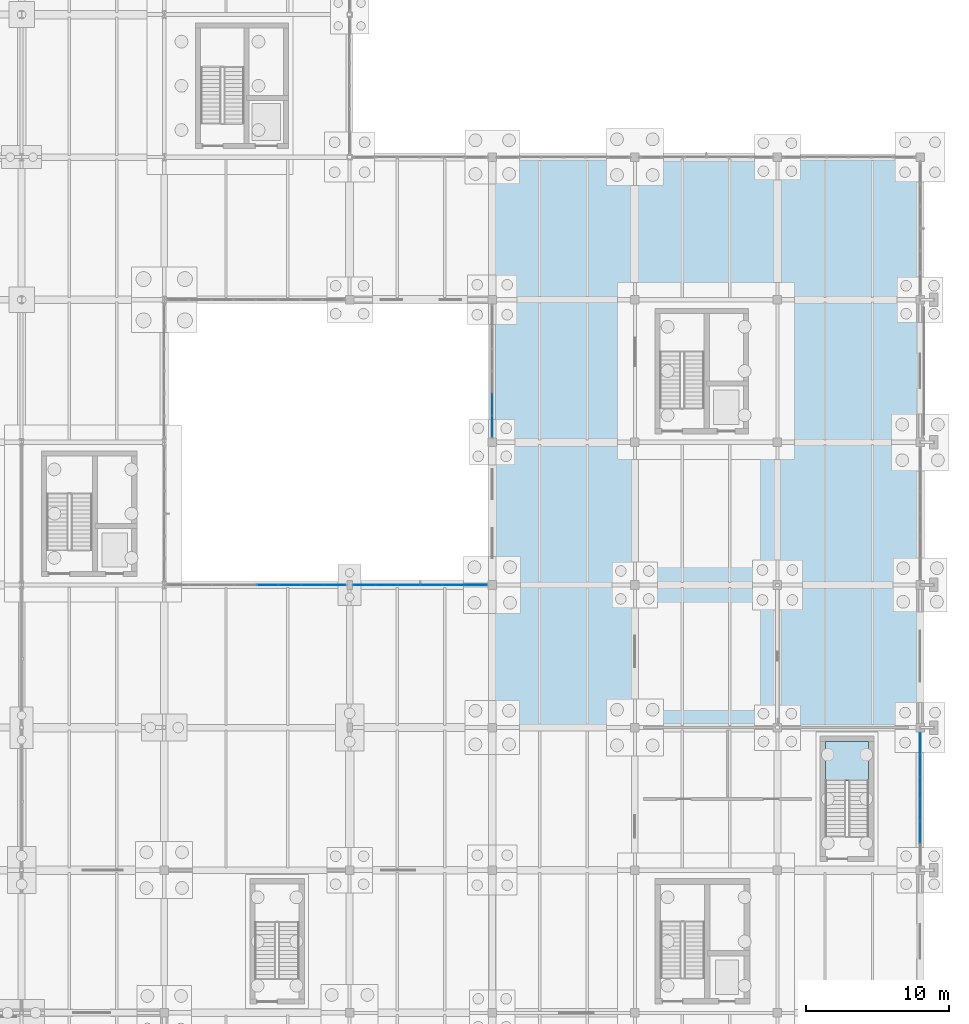
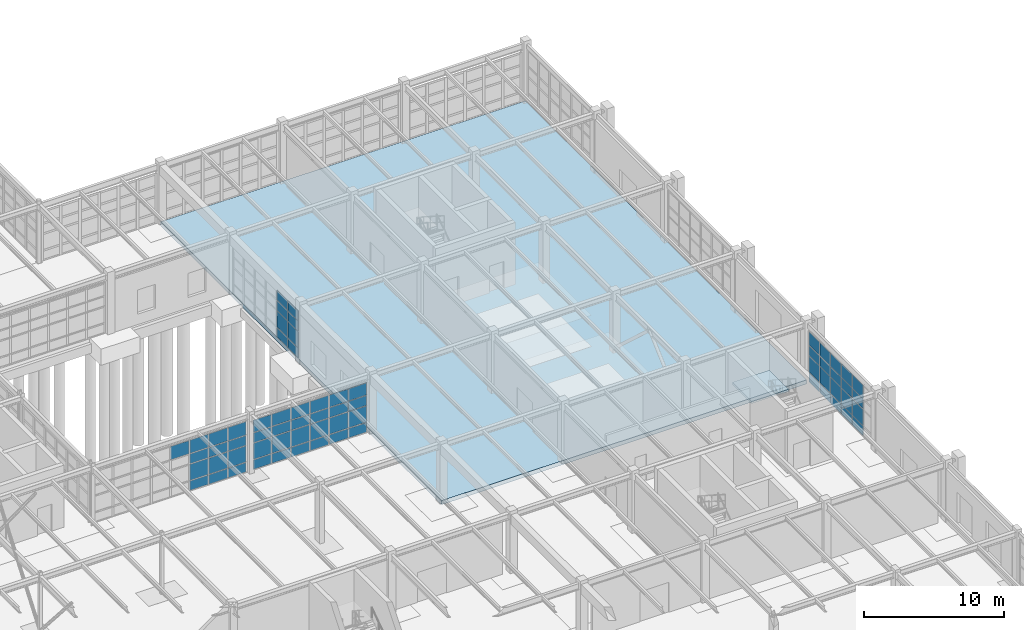
# One storey, part 94 of 145: 65 plates, 2 slabs, 5 elements without a shape of their own.
"""IFC4 building model written with IfcOpenShell, lengths in metres."""

from ifc_helpers import new_model, si_unit, direction, frame, origin, origin_2d, place, context, subcontext, project, spatial, polyline, rectangle, outline, extrude, material, layer, layer_set, type_object, element, aggregate, save


model = new_model("IFC4")

# Units and contexts
model_context = context("Model", 3, precision=1e-05, world=origin(), true_north=direction((0.0, 1.0)))
body_context = subcontext(model_context, "Body", "Model", "MODEL_VIEW")
ifc_project = project(units=[si_unit("LENGTHUNIT", "METRE"), si_unit("AREAUNIT", "SQUARE_METRE"), si_unit("VOLUMEUNIT", "CUBIC_METRE"), si_unit("PLANEANGLEUNIT", "RADIAN"), si_unit("MASSUNIT", "GRAM", prefix="KILO"), si_unit("THERMODYNAMICTEMPERATUREUNIT", "KELVIN"), si_unit("POWERUNIT", "WATT")], contexts=[model_context])

# Site, building, storey
site_placement = place(None, origin())
site = spatial("IfcSite", under=ifc_project, at=site_placement, CompositionType="ELEMENT")
building_placement = place(site_placement, origin())
building = spatial("IfcBuilding", under=site, at=building_placement, Name="Korenveer Ferry Terminal", CompositionType="ELEMENT")
storey_placement = place(building_placement, origin())
storey = spatial("IfcBuildingStorey", under=building, at=storey_placement, Name="L00", CompositionType="ELEMENT", Elevation=0.0)

# Curtain wall, plates
ifc_material_1 = material(Name="Unitised bronze-and-glass curtain wall", Category="glass")
ifc_layer_1 = layer(ifc_material_1, 0.159912109375)
ifc_layer_set_1 = layer_set([ifc_layer_1], Name="Unitised bronze-and-glass curtain wall")
curtain_wall_type_1 = type_object("IfcCurtainWallType", Name="ENV-CW-04", PredefinedType="USERDEFINED", material=ifc_layer_set_1)
curtain_wall_1_placement = place(storey_placement, frame((123.179931640625, 50.0, 0.0)))
curtain_wall_1 = element("IfcCurtainWall", 1, at=curtain_wall_1_placement, inside=storey, type_object=curtain_wall_type_1, Name="Lancet curtain wall CWX-L00-X123-136-Y50-50", ObjectType="UNITISED CURTAIN WALL", PredefinedType="USERDEFINED")
ifc_material_2 = material(Name="Low-iron solar-control double glazing", Category="glass")
ifc_layer_2 = layer(ifc_material_2, 0.028076171875)
ifc_layer_set_2 = layer_set([ifc_layer_2], Name="Low-iron solar-control double glazing")
plate_type = type_object("IfcPlateType", Name="ENV-CWP-GLZ28", PredefinedType="CURTAIN_PANEL", material=ifc_layer_set_2)
plate_1_placement = place(storey_placement, frame((130.261962890625, 50.0, 3.280029296875), z_axis=(0.0, 0.0, 1.0), x_axis=(1.0, 0.0, 0.0)))
plate_1 = element("IfcPlate", 2, at=plate_1_placement, type_object=plate_type, Name="CW-04 panel 5.4", PredefinedType="CURTAIN_PANEL", context=body_context, shape_type="SweptSolid", body=[
    extrude(rectangle(XDim=1.513671875, YDim=0.028076171875, at=origin_2d()), origin(), (0.0, 0.0, 1.0), 1.14990234375),
])
plate_2_placement = place(storey_placement, frame((131.835693359375, 50.0, 0.06005859375), z_axis=(0.0, 0.0, 1.0), x_axis=(1.0, 0.0, 0.0)))
plate_2 = element("IfcPlate", 3, at=plate_2_placement, type_object=plate_type, Name="CW-04 panel 6.1", PredefinedType="CURTAIN_PANEL", context=body_context, shape_type="SweptSolid", body=[
    extrude(rectangle(XDim=1.513671875, YDim=0.028076171875, at=origin_2d()), origin(), (0.0, 0.0, 1.0), 0.81005859375),
])
plate_3_placement = place(storey_placement, frame((131.835693359375, 50.0, 0.93017578125), z_axis=(0.0, 0.0, 1.0), x_axis=(1.0, 0.0, 0.0)))
plate_3 = element("IfcPlate", 4, at=plate_3_placement, type_object=plate_type, Name="CW-04 panel 6.2", PredefinedType="CURTAIN_PANEL", context=body_context, shape_type="SweptSolid", body=[
    extrude(rectangle(XDim=1.513671875, YDim=0.028076171875, at=origin_2d()), origin(), (0.0, 0.0, 1.0), 1.389892578125),
])
plate_4_placement = place(storey_placement, frame((131.835693359375, 50.0, 2.3798828125), z_axis=(0.0, 0.0, 1.0), x_axis=(1.0, 0.0, 0.0)))
plate_4 = element("IfcPlate", 5, at=plate_4_placement, type_object=plate_type, Name="CW-04 panel 6.3", PredefinedType="CURTAIN_PANEL", context=body_context, shape_type="SweptSolid", body=[
    extrude(rectangle(XDim=1.513671875, YDim=0.028076171875, at=origin_2d()), origin(), (0.0, 0.0, 1.0), 0.840087890625),
])
plate_5_placement = place(storey_placement, frame((131.835693359375, 50.0, 3.280029296875), z_axis=(0.0, 0.0, 1.0), x_axis=(1.0, 0.0, 0.0)))
plate_5 = element("IfcPlate", 6, at=plate_5_placement, type_object=plate_type, Name="CW-04 panel 6.4", PredefinedType="CURTAIN_PANEL", context=body_context, shape_type="SweptSolid", body=[
    extrude(rectangle(XDim=1.513671875, YDim=0.028076171875, at=origin_2d()), origin(), (0.0, 0.0, 1.0), 1.14990234375),
])
plate_6_placement = place(storey_placement, frame((133.409423828125, 50.0, 0.06005859375), z_axis=(0.0, 0.0, 1.0), x_axis=(1.0, 0.0, 0.0)))
plate_6 = element("IfcPlate", 7, at=plate_6_placement, type_object=plate_type, Name="CW-04 panel 7.1", PredefinedType="CURTAIN_PANEL", context=body_context, shape_type="SweptSolid", body=[
    extrude(rectangle(XDim=1.513671875, YDim=0.028076171875, at=origin_2d()), origin(), (0.0, 0.0, 1.0), 0.81005859375),
])
plate_7_placement = place(storey_placement, frame((133.409423828125, 50.0, 0.93017578125), z_axis=(0.0, 0.0, 1.0), x_axis=(1.0, 0.0, 0.0)))
plate_7 = element("IfcPlate", 8, at=plate_7_placement, type_object=plate_type, Name="CW-04 panel 7.2", PredefinedType="CURTAIN_PANEL", context=body_context, shape_type="SweptSolid", body=[
    extrude(rectangle(XDim=1.513671875, YDim=0.028076171875, at=origin_2d()), origin(), (0.0, 0.0, 1.0), 1.389892578125),
])
plate_8_placement = place(storey_placement, frame((133.409423828125, 50.0, 2.3798828125), z_axis=(0.0, 0.0, 1.0), x_axis=(1.0, 0.0, 0.0)))
plate_8 = element("IfcPlate", 9, at=plate_8_placement, type_object=plate_type, Name="CW-04 panel 7.3", PredefinedType="CURTAIN_PANEL", context=body_context, shape_type="SweptSolid", body=[
    extrude(rectangle(XDim=1.513671875, YDim=0.028076171875, at=origin_2d()), origin(), (0.0, 0.0, 1.0), 0.840087890625),
])
plate_9_placement = place(storey_placement, frame((133.409423828125, 50.0, 3.280029296875), z_axis=(0.0, 0.0, 1.0), x_axis=(1.0, 0.0, 0.0)))
plate_9 = element("IfcPlate", 10, at=plate_9_placement, type_object=plate_type, Name="CW-04 panel 7.4", PredefinedType="CURTAIN_PANEL", context=body_context, shape_type="SweptSolid", body=[
    extrude(rectangle(XDim=1.513671875, YDim=0.028076171875, at=origin_2d()), origin(), (0.0, 0.0, 1.0), 1.14990234375),
])
plate_10_placement = place(storey_placement, frame((134.968017578125, 50.0, 0.06005859375), z_axis=(0.0, 0.0, 1.0), x_axis=(1.0, 0.0, 0.0)))
plate_10 = element("IfcPlate", 11, at=plate_10_placement, type_object=plate_type, Name="CW-04 panel 8.1", PredefinedType="CURTAIN_PANEL", context=body_context, shape_type="SweptSolid", body=[
    extrude(rectangle(XDim=1.483642578125, YDim=0.028076171875, at=origin_2d()), origin(), (0.0, 0.0, 1.0), 0.81005859375),
])
plate_11_placement = place(storey_placement, frame((134.968017578125, 50.0, 0.93017578125), z_axis=(0.0, 0.0, 1.0), x_axis=(1.0, 0.0, 0.0)))
plate_11 = element("IfcPlate", 12, at=plate_11_placement, type_object=plate_type, Name="CW-04 panel 8.2", PredefinedType="CURTAIN_PANEL", context=body_context, shape_type="SweptSolid", body=[
    extrude(rectangle(XDim=1.483642578125, YDim=0.028076171875, at=origin_2d()), origin(), (0.0, 0.0, 1.0), 1.389892578125),
])
plate_12_placement = place(storey_placement, frame((134.968017578125, 50.0, 2.3798828125), z_axis=(0.0, 0.0, 1.0), x_axis=(1.0, 0.0, 0.0)))
plate_12 = element("IfcPlate", 13, at=plate_12_placement, type_object=plate_type, Name="CW-04 panel 8.3", PredefinedType="CURTAIN_PANEL", context=body_context, shape_type="SweptSolid", body=[
    extrude(rectangle(XDim=1.483642578125, YDim=0.028076171875, at=origin_2d()), origin(), (0.0, 0.0, 1.0), 0.840087890625),
])
plate_13_placement = place(storey_placement, frame((134.968017578125, 50.0, 3.280029296875), z_axis=(0.0, 0.0, 1.0), x_axis=(1.0, 0.0, 0.0)))
plate_13 = element("IfcPlate", 14, at=plate_13_placement, type_object=plate_type, Name="CW-04 panel 8.4", PredefinedType="CURTAIN_PANEL", context=body_context, shape_type="SweptSolid", body=[
    extrude(rectangle(XDim=1.483642578125, YDim=0.028076171875, at=origin_2d()), origin(), (0.0, 0.0, 1.0), 1.14990234375),
])
aggregate(curtain_wall_1, [plate_1, plate_2, plate_3, plate_4, plate_5, plate_6, plate_7, plate_8, plate_9, plate_10, plate_11, plate_12, plate_13])

ifc_layer_3 = layer(ifc_material_1, 0.159912109375)
ifc_layer_set_3 = layer_set([ifc_layer_3], Name="Unitised bronze-and-glass curtain wall")
curtain_wall_type_2 = type_object("IfcCurtainWallType", Name="ENV-CW-05", PredefinedType="USERDEFINED", material=ifc_layer_set_3)
curtain_wall_2_placement = place(storey_placement, frame((136.22998046875, 50.0, 0.0)))
curtain_wall_2 = element("IfcCurtainWall", 15, at=curtain_wall_2_placement, inside=storey, type_object=curtain_wall_type_2, Name="Lancet curtain wall CWX-L00-X136-146-Y50-50", ObjectType="UNITISED CURTAIN WALL", PredefinedType="USERDEFINED")
plate_14_placement = place(storey_placement, frame((137.03173828125, 50.0, 0.06005859375), z_axis=(0.0, 0.0, 1.0), x_axis=(1.0, 0.0, 0.0)))
plate_14 = element("IfcPlate", 16, at=plate_14_placement, type_object=plate_type, Name="CW-05 panel 1.1", PredefinedType="CURTAIN_PANEL", context=body_context, shape_type="SweptSolid", body=[
    extrude(rectangle(XDim=1.4833984375, YDim=0.028076171875, at=origin_2d()), origin(), (0.0, 0.0, 1.0), 0.81005859375),
])
plate_15_placement = place(storey_placement, frame((137.03173828125, 50.0, 0.93017578125), z_axis=(0.0, 0.0, 1.0), x_axis=(1.0, 0.0, 0.0)))
plate_15 = element("IfcPlate", 17, at=plate_15_placement, type_object=plate_type, Name="CW-05 panel 1.2", PredefinedType="CURTAIN_PANEL", context=body_context, shape_type="SweptSolid", body=[
    extrude(rectangle(XDim=1.4833984375, YDim=0.028076171875, at=origin_2d()), origin(), (0.0, 0.0, 1.0), 1.389892578125),
])
plate_16_placement = place(storey_placement, frame((137.03173828125, 50.0, 2.3798828125), z_axis=(0.0, 0.0, 1.0), x_axis=(1.0, 0.0, 0.0)))
plate_16 = element("IfcPlate", 18, at=plate_16_placement, type_object=plate_type, Name="CW-05 panel 1.3", PredefinedType="CURTAIN_PANEL", context=body_context, shape_type="SweptSolid", body=[
    extrude(rectangle(XDim=1.4833984375, YDim=0.028076171875, at=origin_2d()), origin(), (0.0, 0.0, 1.0), 0.840087890625),
])
plate_17_placement = place(storey_placement, frame((137.03173828125, 50.0, 3.27978515625), z_axis=(0.0, 0.0, 1.0), x_axis=(1.0, 0.0, 0.0)))
plate_17 = element("IfcPlate", 19, at=plate_17_placement, type_object=plate_type, Name="CW-05 panel 1.4", PredefinedType="CURTAIN_PANEL", context=body_context, shape_type="SweptSolid", body=[
    extrude(rectangle(XDim=1.4833984375, YDim=0.028076171875, at=origin_2d()), origin(), (0.0, 0.0, 1.0), 1.050048828125),
])
plate_18_placement = place(storey_placement, frame((138.590087890625, 50.0, 0.06005859375), z_axis=(0.0, 0.0, 1.0), x_axis=(1.0, 0.0, 0.0)))
plate_18 = element("IfcPlate", 20, at=plate_18_placement, type_object=plate_type, Name="CW-05 panel 2.1", PredefinedType="CURTAIN_PANEL", context=body_context, shape_type="SweptSolid", body=[
    extrude(rectangle(XDim=1.513427734375, YDim=0.028076171875, at=origin_2d()), origin(), (0.0, 0.0, 1.0), 0.81005859375),
])
plate_19_placement = place(storey_placement, frame((138.590087890625, 50.0, 0.93017578125), z_axis=(0.0, 0.0, 1.0), x_axis=(1.0, 0.0, 0.0)))
plate_19 = element("IfcPlate", 21, at=plate_19_placement, type_object=plate_type, Name="CW-05 panel 2.2", PredefinedType="CURTAIN_PANEL", context=body_context, shape_type="SweptSolid", body=[
    extrude(rectangle(XDim=1.513427734375, YDim=0.028076171875, at=origin_2d()), origin(), (0.0, 0.0, 1.0), 1.389892578125),
])
plate_20_placement = place(storey_placement, frame((138.590087890625, 50.0, 2.3798828125), z_axis=(0.0, 0.0, 1.0), x_axis=(1.0, 0.0, 0.0)))
plate_20 = element("IfcPlate", 22, at=plate_20_placement, type_object=plate_type, Name="CW-05 panel 2.3", PredefinedType="CURTAIN_PANEL", context=body_context, shape_type="SweptSolid", body=[
    extrude(rectangle(XDim=1.513427734375, YDim=0.028076171875, at=origin_2d()), origin(), (0.0, 0.0, 1.0), 0.840087890625),
])
plate_21_placement = place(storey_placement, frame((138.590087890625, 50.0, 3.27978515625), z_axis=(0.0, 0.0, 1.0), x_axis=(1.0, 0.0, 0.0)))
plate_21 = element("IfcPlate", 23, at=plate_21_placement, type_object=plate_type, Name="CW-05 panel 2.4", PredefinedType="CURTAIN_PANEL", context=body_context, shape_type="SweptSolid", body=[
    extrude(rectangle(XDim=1.513427734375, YDim=0.028076171875, at=origin_2d()), origin(), (0.0, 0.0, 1.0), 1.050048828125),
])
plate_22_placement = place(storey_placement, frame((140.163330078125, 50.0, 0.06005859375), z_axis=(0.0, 0.0, 1.0), x_axis=(1.0, 0.0, 0.0)))
plate_22 = element("IfcPlate", 24, at=plate_22_placement, type_object=plate_type, Name="CW-05 panel 3.1", PredefinedType="CURTAIN_PANEL", context=body_context, shape_type="SweptSolid", body=[
    extrude(rectangle(XDim=1.513427734375, YDim=0.028076171875, at=origin_2d()), origin(), (0.0, 0.0, 1.0), 0.81005859375),
])
plate_23_placement = place(storey_placement, frame((140.163330078125, 50.0, 0.93017578125), z_axis=(0.0, 0.0, 1.0), x_axis=(1.0, 0.0, 0.0)))
plate_23 = element("IfcPlate", 25, at=plate_23_placement, type_object=plate_type, Name="CW-05 panel 3.2", PredefinedType="CURTAIN_PANEL", context=body_context, shape_type="SweptSolid", body=[
    extrude(rectangle(XDim=1.513427734375, YDim=0.028076171875, at=origin_2d()), origin(), (0.0, 0.0, 1.0), 1.389892578125),
])
plate_24_placement = place(storey_placement, frame((140.163330078125, 50.0, 2.3798828125), z_axis=(0.0, 0.0, 1.0), x_axis=(1.0, 0.0, 0.0)))
plate_24 = element("IfcPlate", 26, at=plate_24_placement, type_object=plate_type, Name="CW-05 panel 3.3", PredefinedType="CURTAIN_PANEL", context=body_context, shape_type="SweptSolid", body=[
    extrude(rectangle(XDim=1.513427734375, YDim=0.028076171875, at=origin_2d()), origin(), (0.0, 0.0, 1.0), 0.840087890625),
])
plate_25_placement = place(storey_placement, frame((140.163330078125, 50.0, 3.27978515625), z_axis=(0.0, 0.0, 1.0), x_axis=(1.0, 0.0, 0.0)))
plate_25 = element("IfcPlate", 27, at=plate_25_placement, type_object=plate_type, Name="CW-05 panel 3.4", PredefinedType="CURTAIN_PANEL", context=body_context, shape_type="SweptSolid", body=[
    extrude(rectangle(XDim=1.513427734375, YDim=0.028076171875, at=origin_2d()), origin(), (0.0, 0.0, 1.0), 1.050048828125),
])
plate_26_placement = place(storey_placement, frame((141.736572265625, 50.0, 0.06005859375), z_axis=(0.0, 0.0, 1.0), x_axis=(1.0, 0.0, 0.0)))
plate_26 = element("IfcPlate", 28, at=plate_26_placement, type_object=plate_type, Name="CW-05 panel 4.1", PredefinedType="CURTAIN_PANEL", context=body_context, shape_type="SweptSolid", body=[
    extrude(rectangle(XDim=1.513427734375, YDim=0.028076171875, at=origin_2d()), origin(), (0.0, 0.0, 1.0), 0.81005859375),
])
plate_27_placement = place(storey_placement, frame((141.736572265625, 50.0, 0.93017578125), z_axis=(0.0, 0.0, 1.0), x_axis=(1.0, 0.0, 0.0)))
plate_27 = element("IfcPlate", 29, at=plate_27_placement, type_object=plate_type, Name="CW-05 panel 4.2", PredefinedType="CURTAIN_PANEL", context=body_context, shape_type="SweptSolid", body=[
    extrude(rectangle(XDim=1.513427734375, YDim=0.028076171875, at=origin_2d()), origin(), (0.0, 0.0, 1.0), 1.389892578125),
])
plate_28_placement = place(storey_placement, frame((141.736572265625, 50.0, 2.3798828125), z_axis=(0.0, 0.0, 1.0), x_axis=(1.0, 0.0, 0.0)))
plate_28 = element("IfcPlate", 30, at=plate_28_placement, type_object=plate_type, Name="CW-05 panel 4.3", PredefinedType="CURTAIN_PANEL", context=body_context, shape_type="SweptSolid", body=[
    extrude(rectangle(XDim=1.513427734375, YDim=0.028076171875, at=origin_2d()), origin(), (0.0, 0.0, 1.0), 0.840087890625),
])
plate_29_placement = place(storey_placement, frame((141.736572265625, 50.0, 3.27978515625), z_axis=(0.0, 0.0, 1.0), x_axis=(1.0, 0.0, 0.0)))
plate_29 = element("IfcPlate", 31, at=plate_29_placement, type_object=plate_type, Name="CW-05 panel 4.4", PredefinedType="CURTAIN_PANEL", context=body_context, shape_type="SweptSolid", body=[
    extrude(rectangle(XDim=1.513427734375, YDim=0.028076171875, at=origin_2d()), origin(), (0.0, 0.0, 1.0), 1.050048828125),
])
plate_30_placement = place(storey_placement, frame((143.31005859375, 50.0, 0.06005859375), z_axis=(0.0, 0.0, 1.0), x_axis=(1.0, 0.0, 0.0)))
plate_30 = element("IfcPlate", 32, at=plate_30_placement, type_object=plate_type, Name="CW-05 panel 5.1", PredefinedType="CURTAIN_PANEL", context=body_context, shape_type="SweptSolid", body=[
    extrude(rectangle(XDim=1.513427734375, YDim=0.028076171875, at=origin_2d()), origin(), (0.0, 0.0, 1.0), 0.81005859375),
])
plate_31_placement = place(storey_placement, frame((143.31005859375, 50.0, 0.93017578125), z_axis=(0.0, 0.0, 1.0), x_axis=(1.0, 0.0, 0.0)))
plate_31 = element("IfcPlate", 33, at=plate_31_placement, type_object=plate_type, Name="CW-05 panel 5.2", PredefinedType="CURTAIN_PANEL", context=body_context, shape_type="SweptSolid", body=[
    extrude(rectangle(XDim=1.513427734375, YDim=0.028076171875, at=origin_2d()), origin(), (0.0, 0.0, 1.0), 1.389892578125),
])
plate_32_placement = place(storey_placement, frame((143.31005859375, 50.0, 2.3798828125), z_axis=(0.0, 0.0, 1.0), x_axis=(1.0, 0.0, 0.0)))
plate_32 = element("IfcPlate", 34, at=plate_32_placement, type_object=plate_type, Name="CW-05 panel 5.3", PredefinedType="CURTAIN_PANEL", context=body_context, shape_type="SweptSolid", body=[
    extrude(rectangle(XDim=1.513427734375, YDim=0.028076171875, at=origin_2d()), origin(), (0.0, 0.0, 1.0), 0.840087890625),
])
plate_33_placement = place(storey_placement, frame((143.31005859375, 50.0, 3.27978515625), z_axis=(0.0, 0.0, 1.0), x_axis=(1.0, 0.0, 0.0)))
plate_33 = element("IfcPlate", 35, at=plate_33_placement, type_object=plate_type, Name="CW-05 panel 5.4", PredefinedType="CURTAIN_PANEL", context=body_context, shape_type="SweptSolid", body=[
    extrude(rectangle(XDim=1.513427734375, YDim=0.028076171875, at=origin_2d()), origin(), (0.0, 0.0, 1.0), 1.050048828125),
])
plate_34_placement = place(storey_placement, frame((144.868408203125, 50.0, 0.06005859375), z_axis=(0.0, 0.0, 1.0), x_axis=(1.0, 0.0, 0.0)))
plate_34 = element("IfcPlate", 36, at=plate_34_placement, type_object=plate_type, Name="CW-05 panel 6.1", PredefinedType="CURTAIN_PANEL", context=body_context, shape_type="SweptSolid", body=[
    extrude(rectangle(XDim=1.4833984375, YDim=0.028076171875, at=origin_2d()), origin(), (0.0, 0.0, 1.0), 0.81005859375),
])
plate_35_placement = place(storey_placement, frame((144.868408203125, 50.0, 0.93017578125), z_axis=(0.0, 0.0, 1.0), x_axis=(1.0, 0.0, 0.0)))
plate_35 = element("IfcPlate", 37, at=plate_35_placement, type_object=plate_type, Name="CW-05 panel 6.2", PredefinedType="CURTAIN_PANEL", context=body_context, shape_type="SweptSolid", body=[
    extrude(rectangle(XDim=1.4833984375, YDim=0.028076171875, at=origin_2d()), origin(), (0.0, 0.0, 1.0), 1.389892578125),
])
plate_36_placement = place(storey_placement, frame((144.868408203125, 50.0, 2.3798828125), z_axis=(0.0, 0.0, 1.0), x_axis=(1.0, 0.0, 0.0)))
plate_36 = element("IfcPlate", 38, at=plate_36_placement, type_object=plate_type, Name="CW-05 panel 6.3", PredefinedType="CURTAIN_PANEL", context=body_context, shape_type="SweptSolid", body=[
    extrude(rectangle(XDim=1.4833984375, YDim=0.028076171875, at=origin_2d()), origin(), (0.0, 0.0, 1.0), 0.840087890625),
])
plate_37_placement = place(storey_placement, frame((144.868408203125, 50.0, 3.27978515625), z_axis=(0.0, 0.0, 1.0), x_axis=(1.0, 0.0, 0.0)))
plate_37 = element("IfcPlate", 39, at=plate_37_placement, type_object=plate_type, Name="CW-05 panel 6.4", PredefinedType="CURTAIN_PANEL", context=body_context, shape_type="SweptSolid", body=[
    extrude(rectangle(XDim=1.4833984375, YDim=0.028076171875, at=origin_2d()), origin(), (0.0, 0.0, 1.0), 1.050048828125),
])
aggregate(curtain_wall_2, [plate_14, plate_15, plate_16, plate_17, plate_18, plate_19, plate_20, plate_21, plate_22, plate_23, plate_24, plate_25, plate_26, plate_27, plate_28, plate_29, plate_30, plate_31, plate_32, plate_33, plate_34, plate_35, plate_36, plate_37])

ifc_layer_4 = layer(ifc_material_1, 0.159912109375)
ifc_layer_set_4 = layer_set([ifc_layer_4], Name="Unitised bronze-and-glass curtain wall")
curtain_wall_type_3 = type_object("IfcCurtainWallType", Name="ENV-CW-32", PredefinedType="USERDEFINED", material=ifc_layer_set_4)
curtain_wall_3_placement = place(storey_placement, frame((146.0, 60.330078125, 0.0)))
curtain_wall_3 = element("IfcCurtainWall", 40, at=curtain_wall_3_placement, inside=storey, type_object=curtain_wall_type_3, Name="Lancet curtain wall CWX-L00-X146-146-Y60-70", ObjectType="UNITISED CURTAIN WALL", PredefinedType="USERDEFINED")
plate_38_placement = place(storey_placement, frame((146.0, 61.123291015625, 0.06005859375), z_axis=(0.0, 0.0, 1.0), x_axis=(0.0, 1.0, 0.0)))
plate_38 = element("IfcPlate", 41, at=plate_38_placement, type_object=plate_type, Name="CW-32 panel 1.1", PredefinedType="CURTAIN_PANEL", context=body_context, shape_type="SweptSolid", body=[
    extrude(rectangle(XDim=1.466552734375, YDim=0.028076171875, at=origin_2d()), origin(), (0.0, 0.0, 1.0), 0.81005859375),
])
plate_39_placement = place(storey_placement, frame((146.0, 61.123291015625, 0.93017578125), z_axis=(0.0, 0.0, 1.0), x_axis=(0.0, 1.0, 0.0)))
plate_39 = element("IfcPlate", 42, at=plate_39_placement, type_object=plate_type, Name="CW-32 panel 1.2", PredefinedType="CURTAIN_PANEL", context=body_context, shape_type="SweptSolid", body=[
    extrude(rectangle(XDim=1.466552734375, YDim=0.028076171875, at=origin_2d()), origin(), (0.0, 0.0, 1.0), 1.389892578125),
])
plate_40_placement = place(storey_placement, frame((146.0, 61.123291015625, 2.3798828125), z_axis=(0.0, 0.0, 1.0), x_axis=(0.0, 1.0, 0.0)))
plate_40 = element("IfcPlate", 43, at=plate_40_placement, type_object=plate_type, Name="CW-32 panel 1.3", PredefinedType="CURTAIN_PANEL", context=body_context, shape_type="SweptSolid", body=[
    extrude(rectangle(XDim=1.466552734375, YDim=0.028076171875, at=origin_2d()), origin(), (0.0, 0.0, 1.0), 0.840087890625),
])
plate_41_placement = place(storey_placement, frame((146.0, 61.123291015625, 3.280029296875), z_axis=(0.0, 0.0, 1.0), x_axis=(0.0, 1.0, 0.0)))
plate_41 = element("IfcPlate", 44, at=plate_41_placement, type_object=plate_type, Name="CW-32 panel 1.4", PredefinedType="CURTAIN_PANEL", context=body_context, shape_type="SweptSolid", body=[
    extrude(rectangle(XDim=1.466552734375, YDim=0.028076171875, at=origin_2d()), origin(), (0.0, 0.0, 1.0), 0.85009765625),
])
plate_42_placement = place(storey_placement, frame((146.0, 62.6650390625, 0.06005859375), z_axis=(0.0, 0.0, 1.0), x_axis=(0.0, 1.0, 0.0)))
plate_42 = element("IfcPlate", 45, at=plate_42_placement, type_object=plate_type, Name="CW-32 panel 2.1", PredefinedType="CURTAIN_PANEL", context=body_context, shape_type="SweptSolid", body=[
    extrude(rectangle(XDim=1.49658203125, YDim=0.028076171875, at=origin_2d()), origin(), (0.0, 0.0, 1.0), 0.81005859375),
])
plate_43_placement = place(storey_placement, frame((146.0, 62.6650390625, 0.93017578125), z_axis=(0.0, 0.0, 1.0), x_axis=(0.0, 1.0, 0.0)))
plate_43 = element("IfcPlate", 46, at=plate_43_placement, type_object=plate_type, Name="CW-32 panel 2.2", PredefinedType="CURTAIN_PANEL", context=body_context, shape_type="SweptSolid", body=[
    extrude(rectangle(XDim=1.49658203125, YDim=0.028076171875, at=origin_2d()), origin(), (0.0, 0.0, 1.0), 1.389892578125),
])
plate_44_placement = place(storey_placement, frame((146.0, 62.6650390625, 2.3798828125), z_axis=(0.0, 0.0, 1.0), x_axis=(0.0, 1.0, 0.0)))
plate_44 = element("IfcPlate", 47, at=plate_44_placement, type_object=plate_type, Name="CW-32 panel 2.3", PredefinedType="CURTAIN_PANEL", context=body_context, shape_type="SweptSolid", body=[
    extrude(rectangle(XDim=1.49658203125, YDim=0.028076171875, at=origin_2d()), origin(), (0.0, 0.0, 1.0), 0.840087890625),
])
plate_45_placement = place(storey_placement, frame((146.0, 62.6650390625, 3.280029296875), z_axis=(0.0, 0.0, 1.0), x_axis=(0.0, 1.0, 0.0)))
plate_45 = element("IfcPlate", 48, at=plate_45_placement, type_object=plate_type, Name="CW-32 panel 2.4", PredefinedType="CURTAIN_PANEL", context=body_context, shape_type="SweptSolid", body=[
    extrude(rectangle(XDim=1.49658203125, YDim=0.028076171875, at=origin_2d()), origin(), (0.0, 0.0, 1.0), 0.85009765625),
])
aggregate(curtain_wall_3, [plate_38, plate_39, plate_40, plate_41, plate_42, plate_43, plate_44, plate_45])

ifc_layer_5 = layer(ifc_material_1, 0.159912109375)
ifc_layer_set_5 = layer_set([ifc_layer_5], Name="Unitised bronze-and-glass curtain wall")
curtain_wall_type_4 = type_object("IfcCurtainWallType", Name="ENV-CW-34", PredefinedType="USERDEFINED", material=ifc_layer_set_5)
curtain_wall_4_placement = place(storey_placement, frame((176.0, 39.669921875, 0.0)))
curtain_wall_4 = element("IfcCurtainWall", 49, at=curtain_wall_4_placement, inside=storey, type_object=curtain_wall_type_4, Name="Lancet curtain wall CWX-L00-X176-176-Y30-40", ObjectType="UNITISED CURTAIN WALL", PredefinedType="USERDEFINED")
plate_46_placement = place(storey_placement, frame((176.0, 38.876708984375, 0.06005859375), z_axis=(0.0, 0.0, 1.0), x_axis=(0.0, -1.0, 0.0)))
plate_46 = element("IfcPlate", 50, at=plate_46_placement, type_object=plate_type, Name="CW-34 panel 1.1", PredefinedType="CURTAIN_PANEL", context=body_context, shape_type="SweptSolid", body=[
    extrude(rectangle(XDim=1.466552734375, YDim=0.028076171875, at=origin_2d()), origin(), (0.0, 0.0, 1.0), 0.81005859375),
])
plate_47_placement = place(storey_placement, frame((176.0, 38.876708984375, 0.93017578125), z_axis=(0.0, 0.0, 1.0), x_axis=(0.0, -1.0, 0.0)))
plate_47 = element("IfcPlate", 51, at=plate_47_placement, type_object=plate_type, Name="CW-34 panel 1.2", PredefinedType="CURTAIN_PANEL", context=body_context, shape_type="SweptSolid", body=[
    extrude(rectangle(XDim=1.466552734375, YDim=0.028076171875, at=origin_2d()), origin(), (0.0, 0.0, 1.0), 1.389892578125),
])
plate_48_placement = place(storey_placement, frame((176.0, 38.876708984375, 2.3798828125), z_axis=(0.0, 0.0, 1.0), x_axis=(0.0, -1.0, 0.0)))
plate_48 = element("IfcPlate", 52, at=plate_48_placement, type_object=plate_type, Name="CW-34 panel 1.3", PredefinedType="CURTAIN_PANEL", context=body_context, shape_type="SweptSolid", body=[
    extrude(rectangle(XDim=1.466552734375, YDim=0.028076171875, at=origin_2d()), origin(), (0.0, 0.0, 1.0), 0.840087890625),
])
plate_49_placement = place(storey_placement, frame((176.0, 38.876708984375, 3.280029296875), z_axis=(0.0, 0.0, 1.0), x_axis=(0.0, -1.0, 0.0)))
plate_49 = element("IfcPlate", 53, at=plate_49_placement, type_object=plate_type, Name="CW-34 panel 1.4", PredefinedType="CURTAIN_PANEL", context=body_context, shape_type="SweptSolid", body=[
    extrude(rectangle(XDim=1.466552734375, YDim=0.028076171875, at=origin_2d()), origin(), (0.0, 0.0, 1.0), 1.14990234375),
])
plate_50_placement = place(storey_placement, frame((176.0, 37.3349609375, 0.06005859375), z_axis=(0.0, 0.0, 1.0), x_axis=(0.0, -1.0, 0.0)))
plate_50 = element("IfcPlate", 54, at=plate_50_placement, type_object=plate_type, Name="CW-34 panel 2.1", PredefinedType="CURTAIN_PANEL", context=body_context, shape_type="SweptSolid", body=[
    extrude(rectangle(XDim=1.49658203125, YDim=0.028076171875, at=origin_2d()), origin(), (0.0, 0.0, 1.0), 0.81005859375),
])
plate_51_placement = place(storey_placement, frame((176.0, 37.3349609375, 0.93017578125), z_axis=(0.0, 0.0, 1.0), x_axis=(0.0, -1.0, 0.0)))
plate_51 = element("IfcPlate", 55, at=plate_51_placement, type_object=plate_type, Name="CW-34 panel 2.2", PredefinedType="CURTAIN_PANEL", context=body_context, shape_type="SweptSolid", body=[
    extrude(rectangle(XDim=1.49658203125, YDim=0.028076171875, at=origin_2d()), origin(), (0.0, 0.0, 1.0), 1.389892578125),
])
plate_52_placement = place(storey_placement, frame((176.0, 37.3349609375, 2.3798828125), z_axis=(0.0, 0.0, 1.0), x_axis=(0.0, -1.0, 0.0)))
plate_52 = element("IfcPlate", 56, at=plate_52_placement, type_object=plate_type, Name="CW-34 panel 2.3", PredefinedType="CURTAIN_PANEL", context=body_context, shape_type="SweptSolid", body=[
    extrude(rectangle(XDim=1.49658203125, YDim=0.028076171875, at=origin_2d()), origin(), (0.0, 0.0, 1.0), 0.840087890625),
])
plate_53_placement = place(storey_placement, frame((176.0, 37.3349609375, 3.280029296875), z_axis=(0.0, 0.0, 1.0), x_axis=(0.0, -1.0, 0.0)))
plate_53 = element("IfcPlate", 57, at=plate_53_placement, type_object=plate_type, Name="CW-34 panel 2.4", PredefinedType="CURTAIN_PANEL", context=body_context, shape_type="SweptSolid", body=[
    extrude(rectangle(XDim=1.49658203125, YDim=0.028076171875, at=origin_2d()), origin(), (0.0, 0.0, 1.0), 1.14990234375),
])
plate_54_placement = place(storey_placement, frame((176.0, 35.7783203125, 0.06005859375), z_axis=(0.0, 0.0, 1.0), x_axis=(0.0, -1.0, 0.0)))
plate_54 = element("IfcPlate", 58, at=plate_54_placement, type_object=plate_type, Name="CW-34 panel 3.1", PredefinedType="CURTAIN_PANEL", context=body_context, shape_type="SweptSolid", body=[
    extrude(rectangle(XDim=1.49658203125, YDim=0.028076171875, at=origin_2d()), origin(), (0.0, 0.0, 1.0), 0.81005859375),
])
plate_55_placement = place(storey_placement, frame((176.0, 35.7783203125, 0.93017578125), z_axis=(0.0, 0.0, 1.0), x_axis=(0.0, -1.0, 0.0)))
plate_55 = element("IfcPlate", 59, at=plate_55_placement, type_object=plate_type, Name="CW-34 panel 3.2", PredefinedType="CURTAIN_PANEL", context=body_context, shape_type="SweptSolid", body=[
    extrude(rectangle(XDim=1.49658203125, YDim=0.028076171875, at=origin_2d()), origin(), (0.0, 0.0, 1.0), 1.389892578125),
])
plate_56_placement = place(storey_placement, frame((176.0, 35.7783203125, 2.3798828125), z_axis=(0.0, 0.0, 1.0), x_axis=(0.0, -1.0, 0.0)))
plate_56 = element("IfcPlate", 60, at=plate_56_placement, type_object=plate_type, Name="CW-34 panel 3.3", PredefinedType="CURTAIN_PANEL", context=body_context, shape_type="SweptSolid", body=[
    extrude(rectangle(XDim=1.49658203125, YDim=0.028076171875, at=origin_2d()), origin(), (0.0, 0.0, 1.0), 0.840087890625),
])
plate_57_placement = place(storey_placement, frame((176.0, 35.7783203125, 3.280029296875), z_axis=(0.0, 0.0, 1.0), x_axis=(0.0, -1.0, 0.0)))
plate_57 = element("IfcPlate", 61, at=plate_57_placement, type_object=plate_type, Name="CW-34 panel 3.4", PredefinedType="CURTAIN_PANEL", context=body_context, shape_type="SweptSolid", body=[
    extrude(rectangle(XDim=1.49658203125, YDim=0.028076171875, at=origin_2d()), origin(), (0.0, 0.0, 1.0), 1.14990234375),
])
plate_58_placement = place(storey_placement, frame((176.0, 34.2216796875, 0.06005859375), z_axis=(0.0, 0.0, 1.0), x_axis=(0.0, -1.0, 0.0)))
plate_58 = element("IfcPlate", 62, at=plate_58_placement, type_object=plate_type, Name="CW-34 panel 4.1", PredefinedType="CURTAIN_PANEL", context=body_context, shape_type="SweptSolid", body=[
    extrude(rectangle(XDim=1.49658203125, YDim=0.028076171875, at=origin_2d()), origin(), (0.0, 0.0, 1.0), 0.81005859375),
])
plate_59_placement = place(storey_placement, frame((176.0, 34.2216796875, 0.93017578125), z_axis=(0.0, 0.0, 1.0), x_axis=(0.0, -1.0, 0.0)))
plate_59 = element("IfcPlate", 63, at=plate_59_placement, type_object=plate_type, Name="CW-34 panel 4.2", PredefinedType="CURTAIN_PANEL", context=body_context, shape_type="SweptSolid", body=[
    extrude(rectangle(XDim=1.49658203125, YDim=0.028076171875, at=origin_2d()), origin(), (0.0, 0.0, 1.0), 1.389892578125),
])
plate_60_placement = place(storey_placement, frame((176.0, 34.2216796875, 2.3798828125), z_axis=(0.0, 0.0, 1.0), x_axis=(0.0, -1.0, 0.0)))
plate_60 = element("IfcPlate", 64, at=plate_60_placement, type_object=plate_type, Name="CW-34 panel 4.3", PredefinedType="CURTAIN_PANEL", context=body_context, shape_type="SweptSolid", body=[
    extrude(rectangle(XDim=1.49658203125, YDim=0.028076171875, at=origin_2d()), origin(), (0.0, 0.0, 1.0), 0.840087890625),
])
plate_61_placement = place(storey_placement, frame((176.0, 34.2216796875, 3.280029296875), z_axis=(0.0, 0.0, 1.0), x_axis=(0.0, -1.0, 0.0)))
plate_61 = element("IfcPlate", 65, at=plate_61_placement, type_object=plate_type, Name="CW-34 panel 4.4", PredefinedType="CURTAIN_PANEL", context=body_context, shape_type="SweptSolid", body=[
    extrude(rectangle(XDim=1.49658203125, YDim=0.028076171875, at=origin_2d()), origin(), (0.0, 0.0, 1.0), 1.14990234375),
])
plate_62_placement = place(storey_placement, frame((176.0, 32.6650390625, 0.06005859375), z_axis=(0.0, 0.0, 1.0), x_axis=(0.0, -1.0, 0.0)))
plate_62 = element("IfcPlate", 66, at=plate_62_placement, type_object=plate_type, Name="CW-34 panel 5.1", PredefinedType="CURTAIN_PANEL", context=body_context, shape_type="SweptSolid", body=[
    extrude(rectangle(XDim=1.49658203125, YDim=0.028076171875, at=origin_2d()), origin(), (0.0, 0.0, 1.0), 0.81005859375),
])
plate_63_placement = place(storey_placement, frame((176.0, 32.6650390625, 0.93017578125), z_axis=(0.0, 0.0, 1.0), x_axis=(0.0, -1.0, 0.0)))
plate_63 = element("IfcPlate", 67, at=plate_63_placement, type_object=plate_type, Name="CW-34 panel 5.2", PredefinedType="CURTAIN_PANEL", context=body_context, shape_type="SweptSolid", body=[
    extrude(rectangle(XDim=1.49658203125, YDim=0.028076171875, at=origin_2d()), origin(), (0.0, 0.0, 1.0), 1.389892578125),
])
plate_64_placement = place(storey_placement, frame((176.0, 32.6650390625, 2.3798828125), z_axis=(0.0, 0.0, 1.0), x_axis=(0.0, -1.0, 0.0)))
plate_64 = element("IfcPlate", 68, at=plate_64_placement, type_object=plate_type, Name="CW-34 panel 5.3", PredefinedType="CURTAIN_PANEL", context=body_context, shape_type="SweptSolid", body=[
    extrude(rectangle(XDim=1.49658203125, YDim=0.028076171875, at=origin_2d()), origin(), (0.0, 0.0, 1.0), 0.840087890625),
])
plate_65_placement = place(storey_placement, frame((176.0, 32.6650390625, 3.280029296875), z_axis=(0.0, 0.0, 1.0), x_axis=(0.0, -1.0, 0.0)))
plate_65 = element("IfcPlate", 69, at=plate_65_placement, type_object=plate_type, Name="CW-34 panel 5.4", PredefinedType="CURTAIN_PANEL", context=body_context, shape_type="SweptSolid", body=[
    extrude(rectangle(XDim=1.49658203125, YDim=0.028076171875, at=origin_2d()), origin(), (0.0, 0.0, 1.0), 1.14990234375),
])
aggregate(curtain_wall_4, [plate_46, plate_47, plate_48, plate_49, plate_50, plate_51, plate_52, plate_53, plate_54, plate_55, plate_56, plate_57, plate_58, plate_59, plate_60, plate_61, plate_62, plate_63, plate_64, plate_65])

# Stair, slab
ifc_material_3 = material(Name="Concrete C40/50", Category="concrete")
stair_type = type_object("IfcStairType", Name="INT-ST-07", PredefinedType="HALF_TURN_STAIR", material=ifc_material_3)
stair_placement = place(storey_placement, frame((171.68994140625, 32.3798828125, 0.0)))
stair = element("IfcStair", 70, at=stair_placement, inside=storey, type_object=stair_type, Name="L00 Schengen South Stair Core K12", PredefinedType="HALF_TURN_STAIR")
ifc_layer_6 = layer(ifc_material_3, 0.199951171875)
ifc_layer_set_6 = layer_set([ifc_layer_6], Name="Concrete C40/50")
slab_type_1 = type_object("IfcSlabType", Name="INT-SL-LAND200", PredefinedType="LANDING", material=ifc_layer_set_6)
slab_1_placement = place(storey_placement, frame((0.0, 0.0, 2.5)))
slab_1 = element("IfcSlab", 71, at=slab_1_placement, type_object=slab_type_1, Name="ST12 landing 1", PredefinedType="LANDING", context=body_context, shape_type="SweptSolid", body=[
    extrude(outline(polyline([(172.39990234375, 36.300048828125), (172.39990234375, 39.0400390625), (169.360107421875, 39.0400390625), (169.360107421875, 36.300048828125), (172.39990234375, 36.300048828125)])), origin(), (0.0, 0.0, 1.0), 0.199951171875),
])
aggregate(stair, [slab_1])

# Slab
ifc_layer_7 = layer(ifc_material_3, 0.35009765625)
ifc_layer_set_7 = layer_set([ifc_layer_7], Name="Concrete C40/50")
slab_type_2 = type_object("IfcSlabType", Name="STR-SL-BASE350", PredefinedType="BASESLAB", material=ifc_layer_set_7)
slab_2_placement = place(storey_placement, frame((0.0, 0.0, -0.35009765625)))
element("IfcSlab", 72, at=slab_2_placement, inside=storey, type_object=slab_type_2, Name="Floor slab SL-L00-E2", PredefinedType="BASESLAB", context=body_context, shape_type="SweptSolid", body=[
    extrude(outline(polyline([(146.0, 40.0), (176.0, 40.0), (176.0, 80.0), (146.0, 80.0), (146.0, 40.0)])), origin(), (0.0, 0.0, 1.0), 0.35009765625),
])

save(model, "model.ifc")
